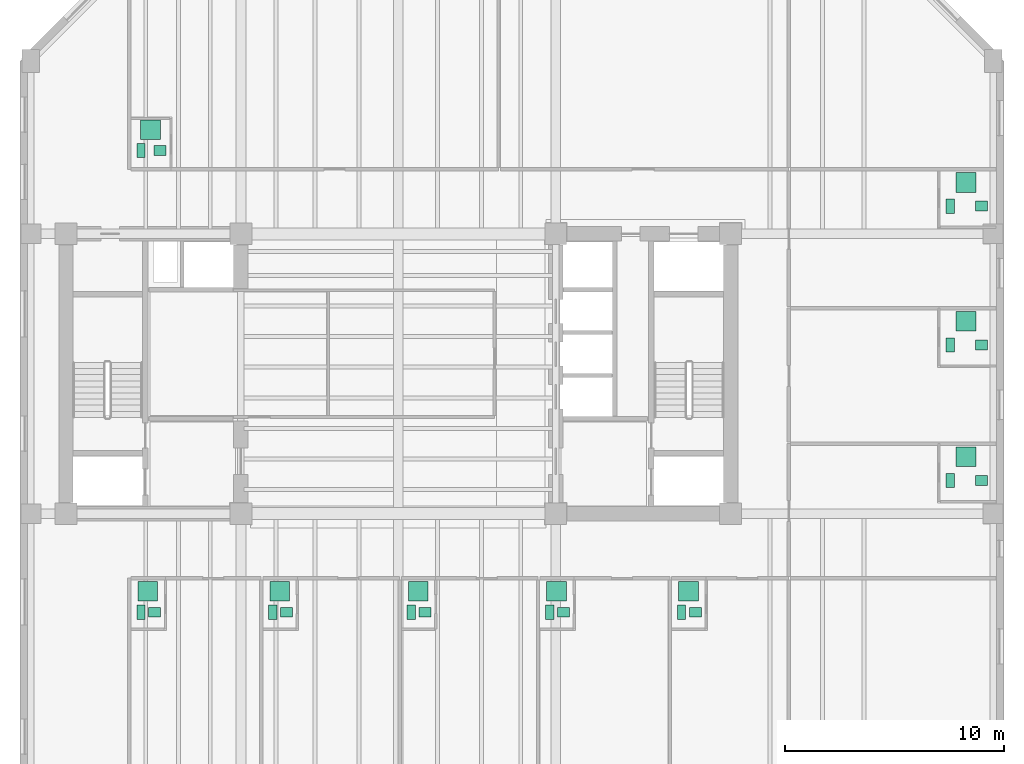
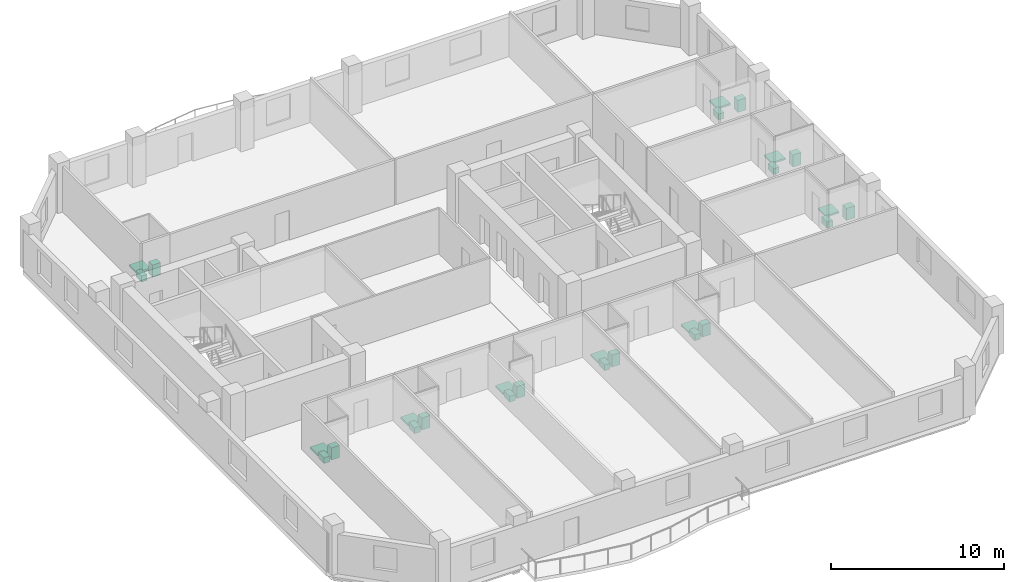
# One storey, part 10 of 10: 27 sanitary terminals.
"""IFC4 building model written with IfcOpenShell, lengths in metres."""

from ifc_helpers import new_model, si_unit, direction, frame, origin, origin_2d, place, context, subcontext, project, spatial, rectangle, extrude, material, type_object, element, save


model = new_model("IFC4")

# Units and contexts
model_context = context("Model", 3, precision=1e-05, world=origin(), true_north=direction((0.0, 1.0)))
body_context = subcontext(model_context, "Body", "Model", "MODEL_VIEW")
ifc_project = project(units=[si_unit("LENGTHUNIT", "METRE"), si_unit("AREAUNIT", "SQUARE_METRE"), si_unit("VOLUMEUNIT", "CUBIC_METRE"), si_unit("PLANEANGLEUNIT", "RADIAN"), si_unit("MASSUNIT", "GRAM", prefix="KILO")], contexts=[model_context])

# Site, building, storey
site_placement = place(None, origin())
site = spatial("IfcSite", under=ifc_project, at=site_placement, CompositionType="ELEMENT")
building_placement = place(site_placement, origin())
building = spatial("IfcBuilding", under=site, at=building_placement, Name="Kranthara Brick Stack", CompositionType="ELEMENT")
storey_placement = place(building_placement, frame((0.0, 0.0, 151.800048828125)))
storey = spatial("IfcBuildingStorey", under=building, at=storey_placement, Name="L38", CompositionType="ELEMENT", Elevation=151.800048828125)

# Sanitary terminals
ifc_material_1 = material(Name="Vitreous china sanitary porcelain", Category="other")
sanitary_terminal_type_1 = type_object("IfcSanitaryTerminalType", Name="SAN-BASIN", PredefinedType="WASHHANDBASIN", material=ifc_material_1)
for number, where, z_axis, x_axis, name in (
    (1, (16.860107421875, 16.294921875, 0.0), (0.0, 0.0, 1.0), (1.0, 0.0, 0.0), "L38 Washbasin 174"),
    (2, (22.889892578125, 16.294921875, 0.0), (0.0, 0.0, 1.0), (1.0, 0.0, 0.0), "L38 Washbasin 175"),
    (3, (29.220947265625, 16.294921875, 0.0), (0.0, 0.0, 1.0), (1.0, 0.0, 0.0), "L38 Washbasin 176"),
    (4, (35.552978515625, 16.294921875, 0.0), (0.0, 0.0, 1.0), (1.0, 0.0, 0.0), "L38 Washbasin 177"),
    (5, (41.5830078125, 16.294921875, 0.0), (0.0, 0.0, 1.0), (1.0, 0.0, 0.0), "L38 Washbasin 178"),
    (6, (17.110107421875, 37.405029296875, 0.0), (0.0, 0.0, 1.0), (1.0, 0.0, 0.0), "L38 Washbasin 179"),
    (7, (54.679931640625, 22.31494140625, 0.0), (0.0, 0.0, 1.0), (1.0, 0.0, 0.0), "L38 Washbasin 180"),
    (8, (54.679931640625, 28.514892578125, 0.0), (0.0, 0.0, 1.0), (1.0, 0.0, 0.0), "L38 Washbasin 181"),
    (9, (54.679931640625, 34.864990234375, 0.0), (0.0, 0.0, 1.0), (1.0, 0.0, 0.0), "L38 Washbasin 182"),
):
    element("IfcSanitaryTerminal", number, at=place(storey_placement, frame(where, z_axis=z_axis, x_axis=x_axis)), inside=storey, type_object=sanitary_terminal_type_1, Name=name, PredefinedType="WASHHANDBASIN", context=body_context, shape_type="SweptSolid", body=[
        extrude(rectangle(XDim=0.550048828125, YDim=0.449951171875, at=origin_2d()), origin(), (0.0, 0.0, 1.0), 0.85009765625),
    ])
ifc_material_2 = material(Name="Acrylic and porcelain shower tray", Category="other")
sanitary_terminal_type_2 = type_object("IfcSanitaryTerminalType", Name="SAN-SHOWER", PredefinedType="SHOWER", material=ifc_material_2)
for number, where, z_axis, x_axis, name in (
    (10, (16.544921875, 17.25, 0.0), (0.0, 0.0, 1.0), (1.0, 0.0, 0.0), "L38 Shower Tray 174"),
    (11, (22.574951171875, 17.25, 0.0), (0.0, 0.0, 1.0), (1.0, 0.0, 0.0), "L38 Shower Tray 175"),
    (12, (28.906005859375, 17.25, 0.0), (0.0, 0.0, 1.0), (1.0, 0.0, 0.0), "L38 Shower Tray 176"),
    (13, (35.238037109375, 17.25, 0.0), (0.0, 0.0, 1.0), (1.0, 0.0, 0.0), "L38 Shower Tray 177"),
    (14, (41.26806640625, 17.25, 0.0), (0.0, 0.0, 1.0), (1.0, 0.0, 0.0), "L38 Shower Tray 178"),
    (15, (16.669921875, 38.360107421875, 0.0), (0.0, 0.0, 1.0), (1.0, 0.0, 0.0), "L38 Shower Tray 179"),
    (16, (53.9599609375, 23.39990234375, 0.0), (0.0, 0.0, 1.0), (1.0, 0.0, 0.0), "L38 Shower Tray 180"),
    (17, (53.9599609375, 29.60009765625, 0.0), (0.0, 0.0, 1.0), (1.0, 0.0, 0.0), "L38 Shower Tray 181"),
    (18, (53.9599609375, 35.949951171875, 0.0), (0.0, 0.0, 1.0), (1.0, 0.0, 0.0), "L38 Shower Tray 182"),
):
    element("IfcSanitaryTerminal", number, at=place(storey_placement, frame(where, z_axis=z_axis, x_axis=x_axis)), inside=storey, type_object=sanitary_terminal_type_2, Name=name, PredefinedType="SHOWER", context=body_context, shape_type="SweptSolid", body=[
        extrude(rectangle(XDim=0.89990234375, YDim=0.89990234375, at=origin_2d()), origin(), (0.0, 0.0, 1.0), 0.1201171875),
    ])
ifc_material_3 = material(Name="Vitreous china sanitary porcelain", Category="other")
sanitary_terminal_type_3 = type_object("IfcSanitaryTerminalType", Name="SAN-WC-PAN", PredefinedType="TOILETPAN", material=ifc_material_3)
for number, where, z_axis, x_axis, name in (
    (19, (16.22998046875, 16.294921875, 0.0), (0.0, 0.0, 1.0), (1.0, 0.0, 0.0), "L38 WC Pan 174"),
    (20, (22.260009765625, 16.294921875, 0.0), (0.0, 0.0, 1.0), (1.0, 0.0, 0.0), "L38 WC Pan 175"),
    (21, (28.591064453125, 16.294921875, 0.0), (0.0, 0.0, 1.0), (1.0, 0.0, 0.0), "L38 WC Pan 176"),
    (22, (34.923095703125, 16.294921875, 0.0), (0.0, 0.0, 1.0), (1.0, 0.0, 0.0), "L38 WC Pan 177"),
    (23, (40.952880859375, 16.294921875, 0.0), (0.0, 0.0, 1.0), (1.0, 0.0, 0.0), "L38 WC Pan 178"),
    (24, (16.22998046875, 37.405029296875, 0.0), (0.0, 0.0, 1.0), (1.0, 0.0, 0.0), "L38 WC Pan 179"),
    (25, (53.239990234375, 22.31494140625, 0.0), (0.0, 0.0, 1.0), (1.0, 0.0, 0.0), "L38 WC Pan 180"),
    (26, (53.239990234375, 28.514892578125, 0.0), (0.0, 0.0, 1.0), (1.0, 0.0, 0.0), "L38 WC Pan 181"),
    (27, (53.239990234375, 34.864990234375, 0.0), (0.0, 0.0, 1.0), (1.0, 0.0, 0.0), "L38 WC Pan 182"),
):
    element("IfcSanitaryTerminal", number, at=place(storey_placement, frame(where, z_axis=z_axis, x_axis=x_axis)), inside=storey, type_object=sanitary_terminal_type_3, Name=name, PredefinedType="TOILETPAN", context=body_context, shape_type="SweptSolid", body=[
        extrude(rectangle(XDim=0.3798828125, YDim=0.64990234375, at=origin_2d()), origin(), (0.0, 0.0, 1.0), 0.419921875),
    ])

save(model, "model.ifc")
